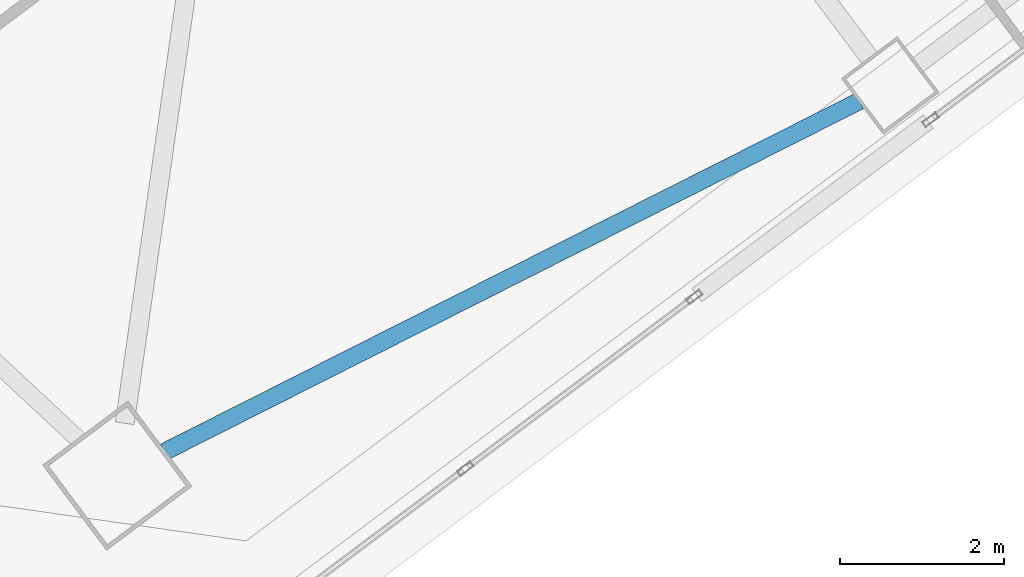
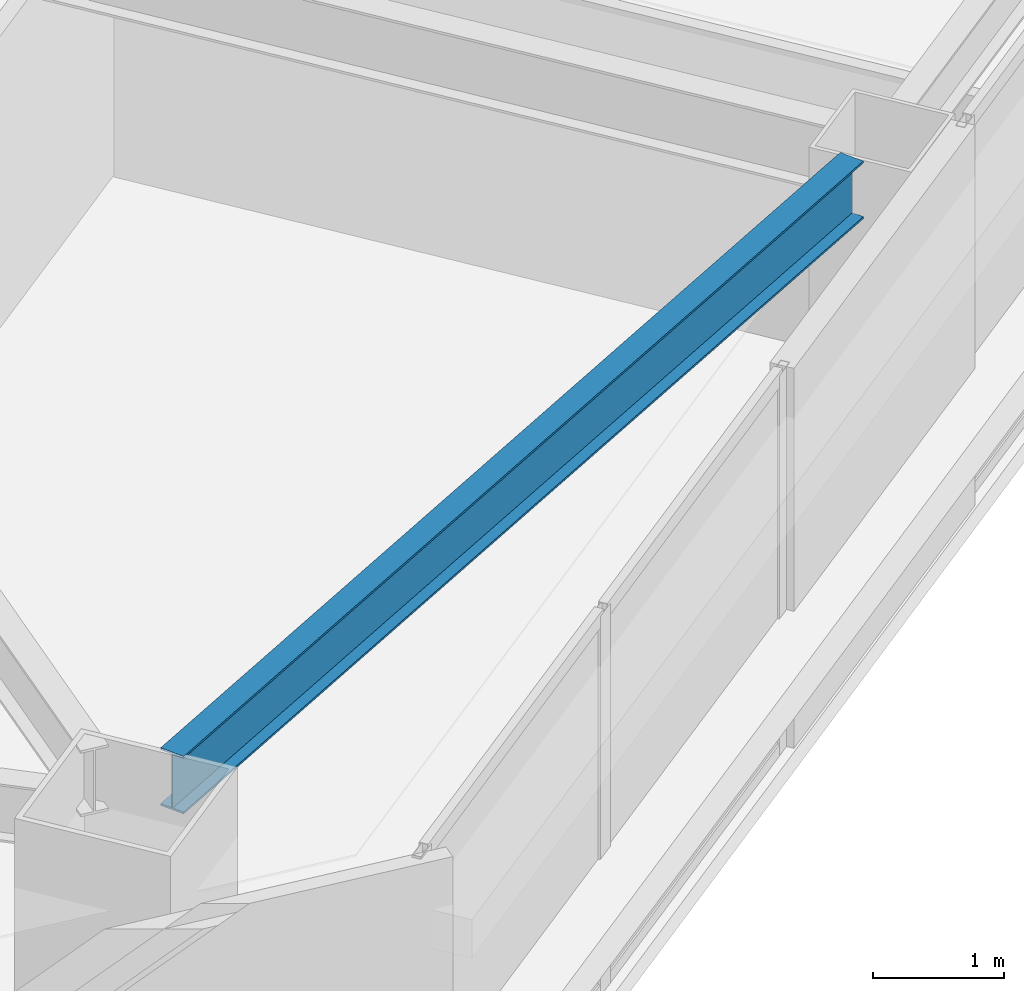
# One storey, part 18 of 46: 1 beam.
"""IFC4 building model written with IfcOpenShell, lengths in metres."""

import ifcopenshell
import ifcopenshell.guid

model = None  # the IFC model being written
_history = None  # IfcOwnerHistory: only IFC2X3 demands one
_inside = {}  # id of a spatial element -> (the spatial element, [elements in it])
_under = {}  # id of a project, library or spatial element -> (it, [spatial elements below it])
_declared = {}  # id of a project -> (the project, [libraries it declares])
_typed = {}  # id of a type object -> (the type object, [elements of that type])
_made_of = {}  # id of a material, layer set ... -> (it, [elements and type objects made of it])


def new_model(schema):
    """Start an empty IFC model of exactly this schema.

    Asked for "IFC4X3", IfcOpenShell would pick the latest addendum, in which some entities
    have other attributes; the version numbers below select the first issue.
    IFC2X3 requires an IfcOwnerHistory on every rooted entity: one is made here for all.
    """
    global model, _history
    if schema == "IFC4X3":
        model = ifcopenshell.file(schema_version=(4, 3, 0, 0))
    else:
        model = ifcopenshell.file(schema=schema)
    _inside.clear()
    _under.clear()
    _declared.clear()
    _typed.clear()
    _made_of.clear()
    _history = None
    if model.schema == "IFC2X3":
        org = make("IfcOrganization", Name="unknown")
        user = make(
            "IfcPersonAndOrganization",
            ThePerson=make("IfcPerson", FamilyName="unknown"),
            TheOrganization=org,
        )
        app = make(
            "IfcApplication",
            ApplicationDeveloper=org,
            Version="unknown",
            ApplicationFullName="unknown",
            ApplicationIdentifier="unknown",
        )
        _history = make(
            "IfcOwnerHistory",
            OwningUser=user,
            OwningApplication=app,
            ChangeAction="ADDED",
            CreationDate=0,
        )
    return model


def make(cls, **values):
    """One entity of the class cls with the attributes given. An attribute that is None is left unset."""
    return model.create_entity(
        cls, **{name: value for name, value in values.items() if value is not None}
    )


def rooted(cls, **values):
    """An entity with a GlobalId (a new one), such as an element, a storey or a relation."""
    return make(cls, GlobalId=ifcopenshell.guid.new(), OwnerHistory=_history, **values)


def si_unit(unit_type, name, prefix=None):
    """IfcSIUnit, for example si_unit("LENGTHUNIT", "METRE", prefix="MILLI")."""
    return make("IfcSIUnit", UnitType=unit_type, Prefix=prefix, Name=name)


def assignment(units):
    """IfcUnitAssignment: the units of a project."""
    return None if units is None else make("IfcUnitAssignment", Units=units)


def point(xyz):
    """IfcCartesianPoint."""
    return None if xyz is None else make("IfcCartesianPoint", Coordinates=xyz)


def direction(xyz):
    """IfcDirection."""
    return None if xyz is None else make("IfcDirection", DirectionRatios=xyz)


def frame(location, z_axis=None, x_axis=None):
    """IfcAxis2Placement3D, a coordinate frame: its origin and axes. An axis left out is left unset."""
    return make(
        "IfcAxis2Placement3D",
        Location=point(location),
        Axis=direction(z_axis),
        RefDirection=direction(x_axis),
    )


def frame_2d(location, x_axis=None):
    """IfcAxis2Placement2D, a coordinate frame in the plane: its origin and x axis."""
    return make(
        "IfcAxis2Placement2D", Location=point(location), RefDirection=direction(x_axis)
    )


def origin():
    """The frame at (0, 0, 0) with its axes left unset."""
    return frame((0.0, 0.0, 0.0))


def origin_2d():
    """The frame at (0, 0) in the plane with its x axis left unset."""
    return frame_2d((0.0, 0.0))


def place(relative_to, where):
    """IfcLocalPlacement: puts the frame where relative to a parent placement (None: the world)."""
    return make(
        "IfcLocalPlacement", PlacementRelTo=relative_to, RelativePlacement=where
    )


def context(
    kind, dimensions, precision=None, world=None, true_north=None, identifier=None
):
    """IfcGeometricRepresentationContext, for example the 3D "Model" context."""
    return make(
        "IfcGeometricRepresentationContext",
        ContextIdentifier=identifier,
        ContextType=kind,
        CoordinateSpaceDimension=dimensions,
        Precision=precision,
        WorldCoordinateSystem=world,
        TrueNorth=true_north,
    )


def subcontext(parent, identifier, kind, view, scale=None):
    """IfcGeometricRepresentationSubContext, for example "Body" below "Model"."""
    return make(
        "IfcGeometricRepresentationSubContext",
        ContextIdentifier=identifier,
        ContextType=kind,
        ParentContext=parent,
        TargetScale=scale,
        TargetView=view,
    )


def project(units=None, contexts=None):
    """IfcProject with its units and contexts."""
    return rooted(
        "IfcProject",
        Name="project",
        RepresentationContexts=contexts,
        UnitsInContext=assignment(units),
    )


def spatial(cls, under=None, at=None, **own):
    """A site, building, storey or space (cls), placed at a placement, below another one or the project."""
    s = rooted(cls, ObjectPlacement=at, **own)
    if under is not None:
        _under.setdefault(under.id(), (under, []))[1].append(s)
    return s


def profile(cls, at=None, kind="AREA", **sizes):
    """A parametric profile (cls). Its sizes go by their IFC names, for example OverallWidth=200.0."""
    return make(cls, ProfileType=kind, Position=at, **sizes)


def i_section(**sizes):
    """IfcIShapeProfileDef."""
    return profile("IfcIShapeProfileDef", **sizes)


def extrude(swept, where, along, depth):
    """IfcExtrudedAreaSolid: the profile swept, set in the frame where, extruded along a direction by depth."""
    return make(
        "IfcExtrudedAreaSolid",
        SweptArea=swept,
        Position=where,
        ExtrudedDirection=direction(along),
        Depth=depth,
    )


def shape(context_of_items, identifier, shape_type, items):
    """IfcShapeRepresentation: the items that make up one representation, for example the "Body"."""
    return make(
        "IfcShapeRepresentation",
        ContextOfItems=context_of_items,
        RepresentationIdentifier=identifier,
        RepresentationType=shape_type,
        Items=items,
    )


def material(Name=None, Category=None):
    """IfcMaterial."""
    return make("IfcMaterial", Name=Name, Category=Category)


def material_profile(
    of_material, cross_section, Name=None, Category=None, Priority=None
):
    """IfcMaterialProfile: a cross section and its material."""
    return make(
        "IfcMaterialProfile",
        Name=Name,
        Material=of_material,
        Profile=cross_section,
        Priority=Priority,
        Category=Category,
    )


def profile_set(profiles, Name=None, composite=None):
    """IfcMaterialProfileSet."""
    return make(
        "IfcMaterialProfileSet",
        Name=Name,
        MaterialProfiles=profiles,
        CompositeProfile=composite,
    )


def made_of(thing, what):
    """Note that an element or type object is made of a material, layer set ...; save() writes the relation."""
    if what is not None:
        _made_of.setdefault(what.id(), (what, []))[1].append(thing)
    return thing


def type_object(cls, material=None, **own):
    """A type object (cls), such as IfcWallType, which elements share."""
    return made_of(rooted(cls, **own), material)


def element(
    cls,
    number,
    at=None,
    inside=None,
    cuts=None,
    type_object=None,
    material=None,
    context=None,
    identifier="Body",
    shape_type=None,
    held_by="IfcProductDefinitionShape",
    body=None,
    shapes=None,
    **own,
):
    """One element of the class cls, such as IfcWall. Its Tag is "e" and its number.

    at: its placement. inside: the storey or other place that contains it. cuts: it is an
    opening in that element (IfcRelVoidsElement). A single representation is given by context,
    identifier, shape_type and body (its items); several are given by shapes. held_by: the class
    of the entity that holds the representations. save() writes the other relations.
    """
    e = rooted(cls, Tag="e%d" % number, ObjectPlacement=at, **own)
    if body is not None:
        shapes = [shape(context, identifier, shape_type, body)]
    if shapes is not None:
        e.Representation = make(held_by, Representations=shapes)
    if inside is not None:
        _inside.setdefault(inside.id(), (inside, []))[1].append(e)
    if cuts is not None:
        rooted(
            "IfcRelVoidsElement", RelatingBuildingElement=cuts, RelatedOpeningElement=e
        )
    if type_object is not None:
        _typed.setdefault(type_object.id(), (type_object, []))[1].append(e)
    return made_of(e, material)


def aggregate(whole, parts):
    """IfcRelAggregates: a whole, such as a stair, and the parts it consists of."""
    return rooted("IfcRelAggregates", RelatingObject=whole, RelatedObjects=parts)


def save(model, path):
    """Write the relations noted so far, then the file.

    IfcRelAggregates (storeys below a building ...), IfcRelContainedInSpatialStructure (elements
    in a storey), IfcRelDefinesByType, IfcRelAssociatesMaterial and IfcRelDeclares: one each for
    every whole, place, type object, material and project.
    """
    for whole, parts in _under.values():
        aggregate(whole, parts)
    for where, things in _inside.values():
        rooted(
            "IfcRelContainedInSpatialStructure",
            RelatedElements=things,
            RelatingStructure=where,
        )
    for kind, things in _typed.values():
        rooted("IfcRelDefinesByType", RelatedObjects=things, RelatingType=kind)
    for what, things in _made_of.values():
        rooted("IfcRelAssociatesMaterial", RelatedObjects=things, RelatingMaterial=what)
    for by, libraries in _declared.values():
        rooted("IfcRelDeclares", RelatingContext=by, RelatedDefinitions=libraries)
    model.write(path)


model = new_model("IFC4")

# Units and contexts
model_context = context("Model", 3, precision=1e-05, world=origin(), true_north=direction((0.0, 1.0)))
body_context = subcontext(model_context, "Body", "Model", "MODEL_VIEW")
ifc_project = project(units=[si_unit("LENGTHUNIT", "METRE"), si_unit("AREAUNIT", "SQUARE_METRE"), si_unit("VOLUMEUNIT", "CUBIC_METRE"), si_unit("PLANEANGLEUNIT", "RADIAN"), si_unit("MASSUNIT", "GRAM", prefix="KILO")], contexts=[model_context])

# Site, building, storey
site_placement = place(None, origin())
site = spatial("IfcSite", under=ifc_project, at=site_placement, CompositionType="ELEMENT")
building_placement = place(site_placement, origin())
building = spatial("IfcBuilding", under=site, at=building_placement, Name="Tashvorn Skyway Center", CompositionType="ELEMENT")
storey_placement = place(building_placement, frame((0.0, 0.0, 132.14990234375)))
storey = spatial("IfcBuildingStorey", under=building, at=storey_placement, Name="L35", CompositionType="ELEMENT", Elevation=132.14990234375)

# Beam
ifc_material = material(Name="Steel ASTM A992 Grade 50", Category="steel")
ifc_material_profile = material_profile(ifc_material, i_section(OverallWidth=0.2109375, OverallDepth=0.5390625, WebThickness=0.01171875, FlangeThickness=0.018798828125, at=origin_2d()), Name="W21X73")
ifc_profile_set = profile_set([ifc_material_profile], Name="Steel ASTM A992 Grade 50")
beam_type = type_object("IfcBeamType", Name="BM-SPANDREL-W21X73", PredefinedType="SPANDREL", material=ifc_profile_set)
beam_placement = place(storey_placement, frame((111.415771484375, 10.170654296875, 3.1005859375), z_axis=(0.892719124217, 0.450613543136, 0.0), x_axis=(-0.450613543136, 0.892719124217, 0.0)))
element("IfcBeam", 1, at=beam_placement, inside=storey, type_object=beam_type, Name="Tower 2 L35 Spandrel Beam 01", PredefinedType="SPANDREL", context=body_context, shape_type="SweptSolid", body=[
    extrude(i_section(OverallWidth=0.2109375, OverallDepth=0.5390625, WebThickness=0.01171875, FlangeThickness=0.018798828125, at=origin_2d()), origin(), (0.0, 0.0, 1.0), 9.498291015625),
])

save(model, "model.ifc")
